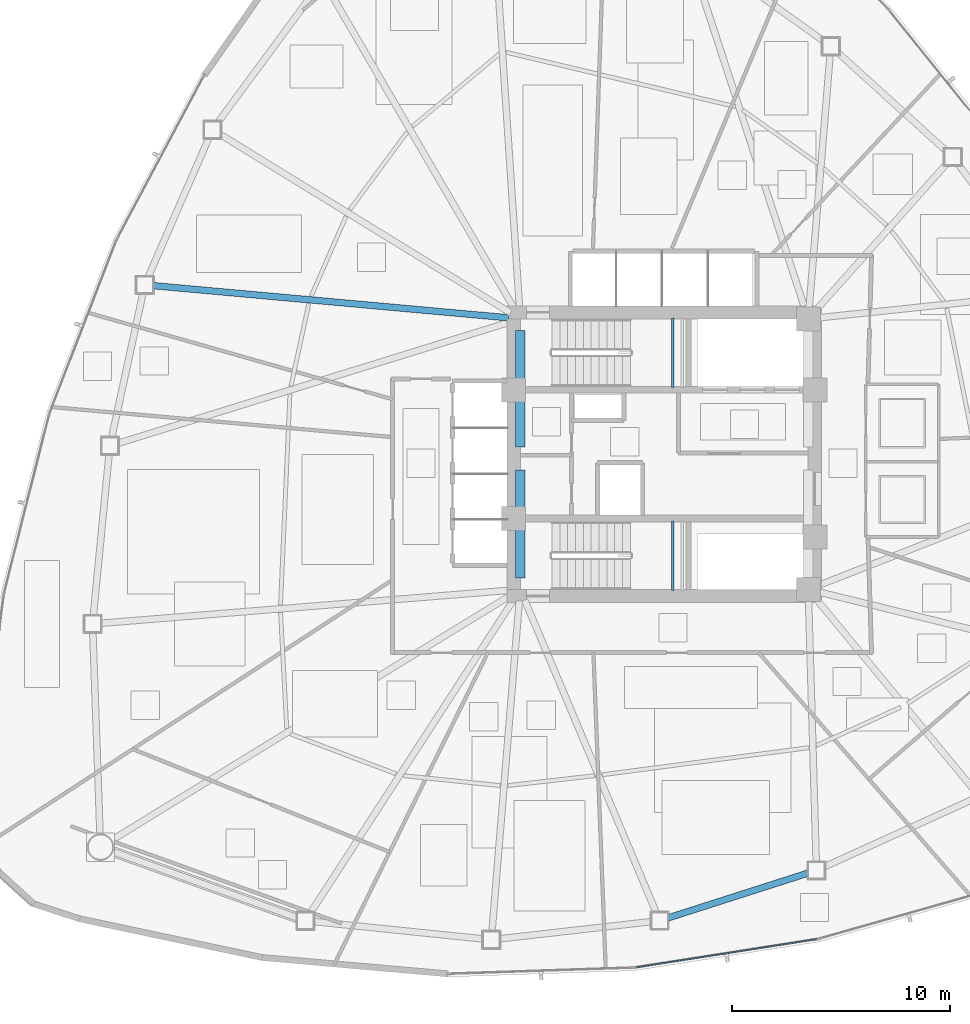
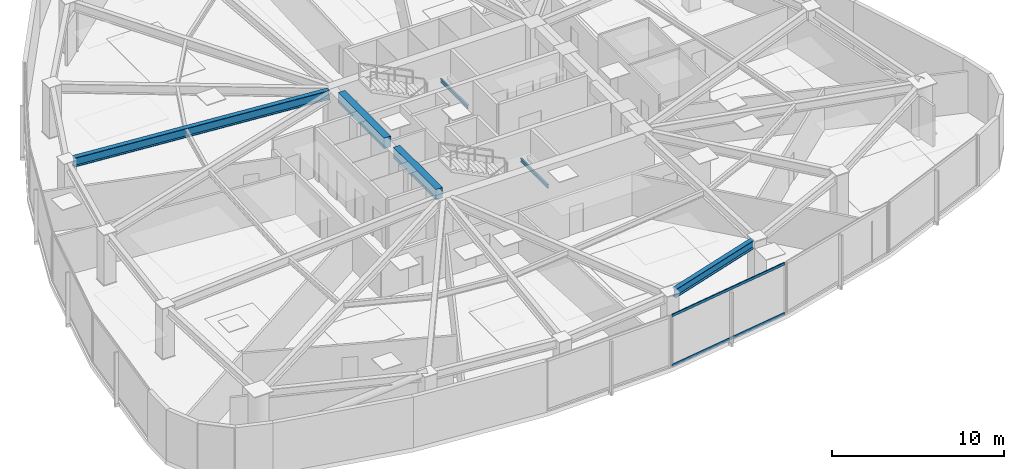
# One storey, part 5 of 18: 6 beams, 2 members, 1 element without a shape of its own.
"""IFC4 building model written with IfcOpenShell, lengths in metres."""

from ifc_helpers import new_model, si_unit, direction, frame, origin, origin_2d, place, context, subcontext, project, spatial, rectangle, hollow_rectangle, i_section, extrude, source, transform, mapped, material, layer, layer_set, material_profile, profile_set, type_object, type_shapes, element, aggregate, save


model = new_model("IFC4")

# Units and contexts
model_context = context("Model", 3, precision=1e-05, world=origin(), true_north=direction((0.0, 1.0)))
body_context = subcontext(model_context, "Body", "Model", "MODEL_VIEW")
ifc_project = project(units=[si_unit("LENGTHUNIT", "METRE"), si_unit("AREAUNIT", "SQUARE_METRE"), si_unit("VOLUMEUNIT", "CUBIC_METRE"), si_unit("PLANEANGLEUNIT", "RADIAN"), si_unit("MASSUNIT", "GRAM", prefix="KILO")], contexts=[model_context])

# Site, building, storey
site_placement = place(None, origin())
site = spatial("IfcSite", under=ifc_project, at=site_placement, CompositionType="ELEMENT")
building_placement = place(site_placement, origin())
building = spatial("IfcBuilding", under=site, at=building_placement, Name="Tavelor Broadcast Tower", CompositionType="ELEMENT")
storey_placement = place(building_placement, frame((0.0, 0.0, 47.10009765625)))
storey = spatial("IfcBuildingStorey", under=building, at=storey_placement, Name="L10", CompositionType="ELEMENT", Elevation=47.10009765625)

# Beams
ifc_material_1 = material(Name="Concrete C40/50", Category="concrete")
ifc_material_profile_1 = material_profile(ifc_material_1, rectangle(XDim=0.449951171875, YDim=0.75, at=origin_2d()), Name="RC 450x750")
ifc_profile_set_1 = profile_set([ifc_material_profile_1], Name="Concrete C40/50")
beam_type_1 = type_object("IfcBeamType", Name="Basement Core Trim Beam 450x750", PredefinedType="BEAM", material=ifc_profile_set_1)
beam_1_placement = place(storey_placement, frame((43.39990234375, 45.327880859375, 3.224853515625), z_axis=(0.0, 1.0, 0.0), x_axis=(-1.0, 0.0, 0.0)))
element("IfcBeam", 1, at=beam_1_placement, inside=storey, type_object=beam_type_1, Name="L10 Core West-N Tie Girder", PredefinedType="BEAM", context=body_context, shape_type="SweptSolid", body=[
    extrude(rectangle(XDim=0.449951171875, YDim=0.75, at=origin_2d()), origin(), (0.0, 0.0, 1.0), 5.34423828125),
])
beam_2_placement = place(storey_placement, frame((43.39990234375, 39.327880859375, 3.224853515625), z_axis=(0.0, 1.0, 0.0), x_axis=(-1.0, 0.0, 0.0)))
element("IfcBeam", 2, at=beam_2_placement, inside=storey, type_object=beam_type_1, Name="L10 Core West-S Tie Girder", PredefinedType="BEAM", context=body_context, shape_type="SweptSolid", body=[
    extrude(rectangle(XDim=0.449951171875, YDim=0.75, at=origin_2d()), origin(), (0.0, 0.0, 1.0), 4.944091796875),
])
ifc_material_2 = material(Name="Steel S355", Category="steel")
ifc_material_profile_2 = material_profile(ifc_material_2, i_section(OverallWidth=0.300048828125, OverallDepth=0.60009765625, WebThickness=0.015380859375, FlangeThickness=0.030029296875, at=origin_2d()), Name="HEB 600")
ifc_profile_set_2 = profile_set([ifc_material_profile_2], Name="Steel S355")
beam_type_2 = type_object("IfcBeamType", Name="Perimeter Spandrel Beam T1 HEB 600", PredefinedType="SPANDREL", material=ifc_profile_set_2)
beam_3_placement = place(storey_placement, frame((50.15234375, 23.735107421875, 3.2998046875), z_axis=(0.952305764648, 0.305145425362, 0.0), x_axis=(-0.305145425362, 0.952305764648, 0.0)))
element("IfcBeam", 3, at=beam_3_placement, inside=storey, type_object=beam_type_2, Name="L10 Framed-Tube Ring Spandrel 10", PredefinedType="SPANDREL", context=body_context, shape_type="SweptSolid", body=[
    extrude(i_section(OverallWidth=0.300048828125, OverallDepth=0.60009765625, WebThickness=0.015380859375, FlangeThickness=0.030029296875, at=origin_2d()), origin(), (0.0, 0.0, 1.0), 6.78076171875),
])
ifc_material_profile_3 = material_profile(ifc_material_2, i_section(OverallWidth=0.300048828125, OverallDepth=0.64990234375, WebThickness=0.01611328125, FlangeThickness=0.031005859375, at=origin_2d()), Name="HEB 650")
ifc_profile_set_3 = profile_set([ifc_material_profile_3], Name="Steel S355")
beam_type_3 = type_object("IfcBeamType", Name="Radial Floor Girder T1 HEB 650", PredefinedType="BEAM", material=ifc_profile_set_3)
beam_4_placement = place(storey_placement, frame((42.874267578125, 51.24755859375, 3.27490234375), z_axis=(-0.995926026359, 0.090173998583, 0.0), x_axis=(-0.090173998583, -0.995926026359, 0.0)))
element("IfcBeam", 4, at=beam_4_placement, inside=storey, type_object=beam_type_3, Name="L10 Radial Primary Floor Girder 04", PredefinedType="BEAM", context=body_context, shape_type="SweptSolid", body=[
    extrude(i_section(OverallWidth=0.300048828125, OverallDepth=0.64990234375, WebThickness=0.01611328125, FlangeThickness=0.031005859375, at=origin_2d()), origin(), (0.0, 0.0, 1.0), 16.369140625),
])
ifc_material_profile_4 = material_profile(ifc_material_2, i_section(OverallWidth=0.1201171875, OverallDepth=0.239990234375, WebThickness=0.006103515625, FlangeThickness=0.009765625, at=origin_2d()), Name="IPE 240")
ifc_profile_set_4 = profile_set([ifc_material_profile_4], Name="Steel S355")
beam_type_4 = type_object("IfcBeamType", Name="Stairwell Landing Support Trimmer Beam IPE240", PredefinedType="BEAM", material=ifc_profile_set_4)
for number, where, z_axis, x_axis, name in (
    (5, (50.385009765625, 48.06005859375, 1.635009765625), (0.0, 1.0, 0.0), (-1.0, 0.0, 0.0), "L10 Stair Landing Support Beam 45"),
    (6, (50.385009765625, 38.760009765625, 1.635009765625), (0.0, 1.0, 0.0), (-1.0, 0.0, 0.0), "L10 Stair Landing Support Beam 259"),
):
    element("IfcBeam", number, at=place(storey_placement, frame(where, z_axis=z_axis, x_axis=x_axis)), inside=storey, type_object=beam_type_4, Name=name, PredefinedType="BEAM", context=body_context, shape_type="SweptSolid", body=[
        extrude(i_section(OverallWidth=0.1201171875, OverallDepth=0.239990234375, WebThickness=0.006103515625, FlangeThickness=0.009765625, at=origin_2d()), origin(), (0.0, 0.0, 1.0), 3.179931640625),
    ])

# Curtain wall, members
ifc_material_3 = material(Name="Architectural Anodized Aluminium", Category="aluminium")
ifc_layer = layer(ifc_material_3, 0.179931640625)
ifc_layer_set = layer_set([ifc_layer], Name="Architectural Anodized Aluminium")
curtain_wall_type = type_object("IfcCurtainWallType", Name="Tower Low-Zone Unitised Curtain Wall CW02", PredefinedType="NOTDEFINED", material=ifc_layer_set)
curtain_wall_placement = place(storey_placement, origin())
curtain_wall = element("IfcCurtainWall", 7, at=curtain_wall_placement, inside=storey, type_object=curtain_wall_type, Name="L10 Curtain Wall CW02 Run 78", PredefinedType="NOTDEFINED")
ifc_material_profile_5 = material_profile(ifc_material_3, hollow_rectangle(XDim=0.06494140625, YDim=0.179931640625, WallThickness=0.02197265625, at=origin_2d()), Name="RHS 65x180x22")
ifc_profile_set_5 = profile_set([ifc_material_profile_5], Name="Architectural Anodized Aluminium")
member_type = type_object("IfcMemberType", Name="CW02 Extruded Aluminium Transom 65x180", PredefinedType="USERDEFINED", material=ifc_profile_set_5)
shared_shape = source(origin(), body_context, "Body", "SweptSolid", [
    extrude(hollow_rectangle(XDim=0.06494140625, YDim=0.179931640625, WallThickness=0.02197265625, at=origin_2d()), origin(), (0.0, 0.0, 1.0), 8.390625),
])
type_shapes(member_type, [shared_shape])
member_1_placement = place(storey_placement, frame((48.703857421875, 21.47509765625, 0.032470703125), z_axis=(0.988023680903, 0.154302320056, 0.0), x_axis=(-0.154302320056, 0.988023680903, 0.0)))
member_1 = element("IfcMember", 8, at=member_1_placement, type_object=member_type, Name="CW02 transom 1.1", ObjectType="TRANSOM", PredefinedType="USERDEFINED", context=body_context, shape_type="MappedRepresentation", body=[
    mapped(shared_shape, transform((0.0, 0.0, 0.0), scale=1.0)),
])
member_2_placement = place(storey_placement, frame((48.703857421875, 21.47509765625, 3.5673828125), z_axis=(0.988023680903, 0.154302320056, 0.0), x_axis=(-0.154302320056, 0.988023680903, 0.0)))
member_2 = element("IfcMember", 9, at=member_2_placement, type_object=member_type, Name="CW02 transom 1.2", ObjectType="TRANSOM", PredefinedType="USERDEFINED", context=body_context, shape_type="MappedRepresentation", body=[
    mapped(shared_shape, transform((0.0, 0.0, 0.0), scale=1.0)),
])
aggregate(curtain_wall, [member_1, member_2])

save(model, "model.ifc")
